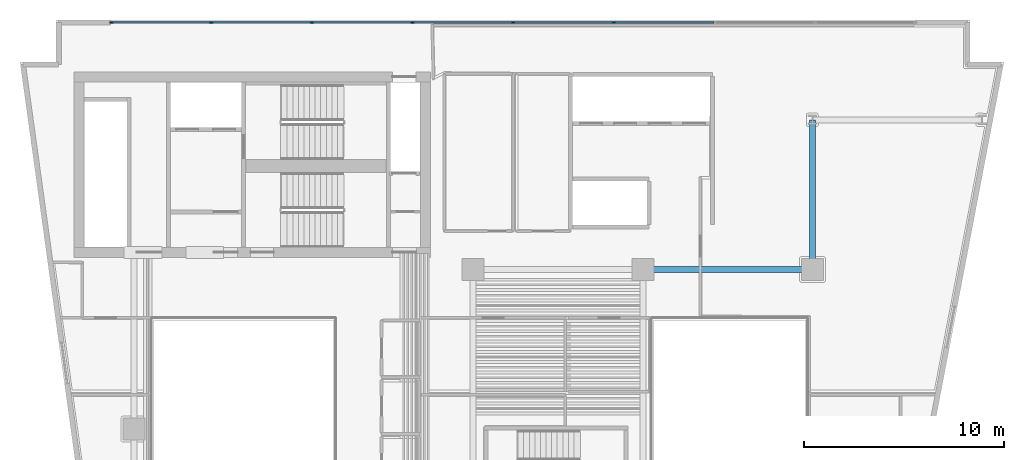
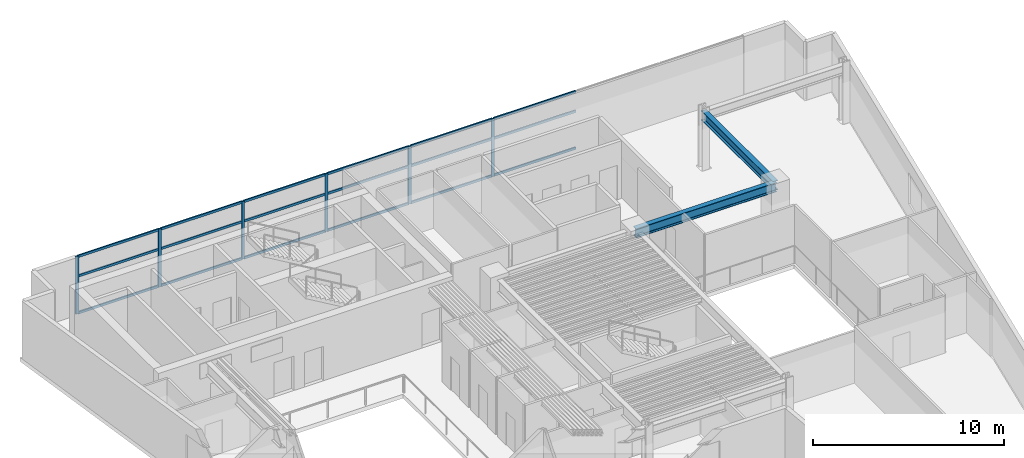
# One storey, part 3 of 13: 24 members, 2 beams, 1 element without a shape of its own.
"""IFC4 building model written with IfcOpenShell, lengths in metres."""

from ifc_helpers import new_model, si_unit, direction, frame, origin, origin_2d, place, context, subcontext, project, spatial, rectangle, i_section, extrude, material, layer, layer_set, material_profile, profile_set, type_object, element, aggregate, save


model = new_model("IFC4")

# Units and contexts
model_context = context("Model", 3, precision=1e-05, world=origin(), true_north=direction((0.0, 1.0)))
body_context = subcontext(model_context, "Body", "Model", "MODEL_VIEW")
ifc_project = project(units=[si_unit("LENGTHUNIT", "METRE"), si_unit("AREAUNIT", "SQUARE_METRE"), si_unit("VOLUMEUNIT", "CUBIC_METRE"), si_unit("PLANEANGLEUNIT", "RADIAN"), si_unit("MASSUNIT", "GRAM", prefix="KILO")], contexts=[model_context])

# Site, building, storey
site_placement = place(None, origin())
site = spatial("IfcSite", under=ifc_project, at=site_placement, CompositionType="ELEMENT")
building_placement = place(site_placement, origin())
building = spatial("IfcBuilding", under=site, at=building_placement, Name="Caeloran Harvest Quay", CompositionType="ELEMENT")
storey_placement = place(building_placement, frame((0.0, 0.0, 162.75)))
storey = spatial("IfcBuildingStorey", under=building, at=storey_placement, Name="L38", CompositionType="ELEMENT", Elevation=162.75)

# Beams
ifc_material_1 = material(Name="Steel S355J2", Category="steel")
ifc_material_profile_1 = material_profile(ifc_material_1, i_section(OverallWidth=0.300048828125, OverallDepth=0.60009765625, WebThickness=0.015380859375, FlangeThickness=0.030029296875, FilletRadius=0.027099609375, at=origin_2d()), Name="HE 600 B")
ifc_profile_set_1 = profile_set([ifc_material_profile_1], Name="Steel S355J2")
beam_type = type_object("IfcBeamType", Name="BM-PG-3-HE_600_B", PredefinedType="BEAM", material=ifc_profile_set_1)
beam_1_placement = place(storey_placement, frame((34.0, 31.0, 3.389892578125), z_axis=(1.0, 0.0, 0.0), x_axis=(0.0, 1.0, 0.0)))
element("IfcBeam", 1, at=beam_1_placement, inside=storey, type_object=beam_type, Name="L38 Primary East-West Girder Y=31.0", PredefinedType="BEAM", context=body_context, shape_type="SweptSolid", body=[
    extrude(i_section(OverallWidth=0.300048828125, OverallDepth=0.60009765625, WebThickness=0.015380859375, FlangeThickness=0.030029296875, FilletRadius=0.027099609375, at=origin_2d()), origin(), (0.0, 0.0, 1.0), 8.5),
])
beam_2_placement = place(storey_placement, frame((42.5, 31.0, 3.389892578125), z_axis=(0.0, 1.0, 0.0), x_axis=(-1.0, 0.0, 0.0)))
element("IfcBeam", 2, at=beam_2_placement, inside=storey, type_object=beam_type, Name="L38 Primary North-South Girder X=42.5", PredefinedType="BEAM", context=body_context, shape_type="SweptSolid", body=[
    extrude(i_section(OverallWidth=0.300048828125, OverallDepth=0.60009765625, WebThickness=0.015380859375, FlangeThickness=0.030029296875, FilletRadius=0.027099609375, at=origin_2d()), origin(), (0.0, 0.0, 1.0), 7.5),
])

# Curtain wall, members
ifc_material_2 = material(Name="Aluminium 6063-T6 and Low-E Glazing", Category="aluminium")
ifc_layer = layer(ifc_material_2, 0.22998046875, Name="Aluminium 6063-T6 and Low-E Glazing")
ifc_layer_set = layer_set([ifc_layer], Name="Aluminium 6063-T6 and Low-E Glazing")
curtain_wall_type = type_object("IfcCurtainWallType", Name="CW-SYS-CW-6", PredefinedType="USERDEFINED", material=ifc_layer_set)
curtain_wall_placement = place(storey_placement, origin())
curtain_wall = element("IfcCurtainWall", 3, at=curtain_wall_placement, inside=storey, type_object=curtain_wall_type, Name="L38 Unitised Curtain Wall CW-6 Run 6", ObjectType="CURTAIN_WALL", PredefinedType="USERDEFINED")
ifc_material_3 = material(Name="Aluminium 6063-T6", Category="aluminium")
ifc_material_profile_2 = material_profile(ifc_material_3, rectangle(XDim=0.080078125, YDim=0.179931640625, at=origin_2d()), Name="CW-MULLION-180")
ifc_profile_set_2 = profile_set([ifc_material_profile_2], Name="Aluminium 6063-T6")
member_type_1 = type_object("IfcMemberType", Name="CW-MULLION-180", PredefinedType="MULLION", material=ifc_profile_set_2)
member_1_placement = place(storey_placement, frame((7.3701171875, 43.3701171875, 0.0), z_axis=(0.0, 0.0, 1.0), x_axis=(0.0, 1.0, 0.0)))
member_1 = element("IfcMember", 4, at=member_1_placement, type_object=member_type_1, Name="CW-6 mullion 1", PredefinedType="MULLION", context=body_context, shape_type="SweptSolid", body=[
    extrude(rectangle(XDim=0.080078125, YDim=0.179931640625, at=origin_2d()), origin(), (0.0, 0.0, 1.0), 3.68994140625),
])
member_2_placement = place(storey_placement, frame((12.37255859375, 43.3701171875, 0.0), z_axis=(0.0, 0.0, 1.0), x_axis=(0.0, 1.0, 0.0)))
member_2 = element("IfcMember", 5, at=member_2_placement, type_object=member_type_1, Name="CW-6 mullion 2", PredefinedType="MULLION", context=body_context, shape_type="SweptSolid", body=[
    extrude(rectangle(XDim=0.080078125, YDim=0.179931640625, at=origin_2d()), origin(), (0.0, 0.0, 1.0), 3.68994140625),
])
member_3_placement = place(storey_placement, frame((17.4150390625, 43.3701171875, 0.0), z_axis=(0.0, 0.0, 1.0), x_axis=(0.0, 1.0, 0.0)))
member_3 = element("IfcMember", 6, at=member_3_placement, type_object=member_type_1, Name="CW-6 mullion 3", PredefinedType="MULLION", context=body_context, shape_type="SweptSolid", body=[
    extrude(rectangle(XDim=0.080078125, YDim=0.179931640625, at=origin_2d()), origin(), (0.0, 0.0, 1.0), 3.68994140625),
])
member_4_placement = place(storey_placement, frame((22.45751953125, 43.3701171875, 0.0), z_axis=(0.0, 0.0, 1.0), x_axis=(0.0, 1.0, 0.0)))
member_4 = element("IfcMember", 7, at=member_4_placement, type_object=member_type_1, Name="CW-6 mullion 4", PredefinedType="MULLION", context=body_context, shape_type="SweptSolid", body=[
    extrude(rectangle(XDim=0.080078125, YDim=0.179931640625, at=origin_2d()), origin(), (0.0, 0.0, 1.0), 3.68994140625),
])
member_5_placement = place(storey_placement, frame((27.5, 43.3701171875, 0.0), z_axis=(0.0, 0.0, 1.0), x_axis=(0.0, 1.0, 0.0)))
member_5 = element("IfcMember", 8, at=member_5_placement, type_object=member_type_1, Name="CW-6 mullion 5", PredefinedType="MULLION", context=body_context, shape_type="SweptSolid", body=[
    extrude(rectangle(XDim=0.080078125, YDim=0.179931640625, at=origin_2d()), origin(), (0.0, 0.0, 1.0), 3.68994140625),
])
member_6_placement = place(storey_placement, frame((32.54248046875, 43.3701171875, 0.0), z_axis=(0.0, 0.0, 1.0), x_axis=(0.0, 1.0, 0.0)))
member_6 = element("IfcMember", 9, at=member_6_placement, type_object=member_type_1, Name="CW-6 mullion 6", PredefinedType="MULLION", context=body_context, shape_type="SweptSolid", body=[
    extrude(rectangle(XDim=0.080078125, YDim=0.179931640625, at=origin_2d()), origin(), (0.0, 0.0, 1.0), 3.68994140625),
])
ifc_material_profile_3 = material_profile(ifc_material_3, rectangle(XDim=0.080078125, YDim=0.14990234375, at=origin_2d()), Name="CW-TRANSOM-150")
ifc_profile_set_3 = profile_set([ifc_material_profile_3], Name="Aluminium 6063-T6")
member_type_2 = type_object("IfcMemberType", Name="CW-TRANSOM-150", PredefinedType="USERDEFINED", material=ifc_profile_set_3)
member_7_placement = place(storey_placement, frame((7.409912109375, 43.3701171875, 0.0400390625), z_axis=(1.0, 0.0, 0.0), x_axis=(0.0, 1.0, 0.0)))
member_7 = element("IfcMember", 10, at=member_7_placement, type_object=member_type_2, Name="CW-6 transom 1.1", ObjectType="TRANSOM", PredefinedType="USERDEFINED", context=body_context, shape_type="SweptSolid", body=[
    extrude(rectangle(XDim=0.080078125, YDim=0.14990234375, at=origin_2d()), origin(), (0.0, 0.0, 1.0), 4.922607421875),
])
member_8_placement = place(storey_placement, frame((7.409912109375, 43.3701171875, 2.39990234375), z_axis=(1.0, 0.0, 0.0), x_axis=(0.0, 1.0, 0.0)))
member_8 = element("IfcMember", 11, at=member_8_placement, type_object=member_type_2, Name="CW-6 transom 1.2", ObjectType="TRANSOM", PredefinedType="USERDEFINED", context=body_context, shape_type="SweptSolid", body=[
    extrude(rectangle(XDim=0.080078125, YDim=0.14990234375, at=origin_2d()), origin(), (0.0, 0.0, 1.0), 4.922607421875),
])
member_9_placement = place(storey_placement, frame((7.409912109375, 43.3701171875, 3.64990234375), z_axis=(1.0, 0.0, 0.0), x_axis=(0.0, 1.0, 0.0)))
member_9 = element("IfcMember", 12, at=member_9_placement, type_object=member_type_2, Name="CW-6 transom 1.3", ObjectType="TRANSOM", PredefinedType="USERDEFINED", context=body_context, shape_type="SweptSolid", body=[
    extrude(rectangle(XDim=0.080078125, YDim=0.14990234375, at=origin_2d()), origin(), (0.0, 0.0, 1.0), 4.922607421875),
])
member_10_placement = place(storey_placement, frame((12.41259765625, 43.3701171875, 0.0400390625), z_axis=(1.0, 0.0, 0.0), x_axis=(0.0, 1.0, 0.0)))
member_10 = element("IfcMember", 13, at=member_10_placement, type_object=member_type_2, Name="CW-6 transom 2.1", ObjectType="TRANSOM", PredefinedType="USERDEFINED", context=body_context, shape_type="SweptSolid", body=[
    extrude(rectangle(XDim=0.080078125, YDim=0.14990234375, at=origin_2d()), origin(), (0.0, 0.0, 1.0), 4.96240234375),
])
member_11_placement = place(storey_placement, frame((12.41259765625, 43.3701171875, 2.39990234375), z_axis=(1.0, 0.0, 0.0), x_axis=(0.0, 1.0, 0.0)))
member_11 = element("IfcMember", 14, at=member_11_placement, type_object=member_type_2, Name="CW-6 transom 2.2", ObjectType="TRANSOM", PredefinedType="USERDEFINED", context=body_context, shape_type="SweptSolid", body=[
    extrude(rectangle(XDim=0.080078125, YDim=0.14990234375, at=origin_2d()), origin(), (0.0, 0.0, 1.0), 4.96240234375),
])
member_12_placement = place(storey_placement, frame((12.41259765625, 43.3701171875, 3.64990234375), z_axis=(1.0, 0.0, 0.0), x_axis=(0.0, 1.0, 0.0)))
member_12 = element("IfcMember", 15, at=member_12_placement, type_object=member_type_2, Name="CW-6 transom 2.3", ObjectType="TRANSOM", PredefinedType="USERDEFINED", context=body_context, shape_type="SweptSolid", body=[
    extrude(rectangle(XDim=0.080078125, YDim=0.14990234375, at=origin_2d()), origin(), (0.0, 0.0, 1.0), 4.96240234375),
])
member_13_placement = place(storey_placement, frame((17.455078125, 43.3701171875, 0.0400390625), z_axis=(1.0, 0.0, 0.0), x_axis=(0.0, 1.0, 0.0)))
member_13 = element("IfcMember", 16, at=member_13_placement, type_object=member_type_2, Name="CW-6 transom 3.1", ObjectType="TRANSOM", PredefinedType="USERDEFINED", context=body_context, shape_type="SweptSolid", body=[
    extrude(rectangle(XDim=0.080078125, YDim=0.14990234375, at=origin_2d()), origin(), (0.0, 0.0, 1.0), 4.96240234375),
])
member_14_placement = place(storey_placement, frame((17.455078125, 43.3701171875, 2.39990234375), z_axis=(1.0, 0.0, 0.0), x_axis=(0.0, 1.0, 0.0)))
member_14 = element("IfcMember", 17, at=member_14_placement, type_object=member_type_2, Name="CW-6 transom 3.2", ObjectType="TRANSOM", PredefinedType="USERDEFINED", context=body_context, shape_type="SweptSolid", body=[
    extrude(rectangle(XDim=0.080078125, YDim=0.14990234375, at=origin_2d()), origin(), (0.0, 0.0, 1.0), 4.96240234375),
])
member_15_placement = place(storey_placement, frame((17.455078125, 43.3701171875, 3.64990234375), z_axis=(1.0, 0.0, 0.0), x_axis=(0.0, 1.0, 0.0)))
member_15 = element("IfcMember", 18, at=member_15_placement, type_object=member_type_2, Name="CW-6 transom 3.3", ObjectType="TRANSOM", PredefinedType="USERDEFINED", context=body_context, shape_type="SweptSolid", body=[
    extrude(rectangle(XDim=0.080078125, YDim=0.14990234375, at=origin_2d()), origin(), (0.0, 0.0, 1.0), 4.96240234375),
])
member_16_placement = place(storey_placement, frame((22.49755859375, 43.3701171875, 0.0400390625), z_axis=(1.0, 0.0, 0.0), x_axis=(0.0, 1.0, 0.0)))
member_16 = element("IfcMember", 19, at=member_16_placement, type_object=member_type_2, Name="CW-6 transom 4.1", ObjectType="TRANSOM", PredefinedType="USERDEFINED", context=body_context, shape_type="SweptSolid", body=[
    extrude(rectangle(XDim=0.080078125, YDim=0.14990234375, at=origin_2d()), origin(), (0.0, 0.0, 1.0), 4.96240234375),
])
member_17_placement = place(storey_placement, frame((22.49755859375, 43.3701171875, 2.39990234375), z_axis=(1.0, 0.0, 0.0), x_axis=(0.0, 1.0, 0.0)))
member_17 = element("IfcMember", 20, at=member_17_placement, type_object=member_type_2, Name="CW-6 transom 4.2", ObjectType="TRANSOM", PredefinedType="USERDEFINED", context=body_context, shape_type="SweptSolid", body=[
    extrude(rectangle(XDim=0.080078125, YDim=0.14990234375, at=origin_2d()), origin(), (0.0, 0.0, 1.0), 4.96240234375),
])
member_18_placement = place(storey_placement, frame((22.49755859375, 43.3701171875, 3.64990234375), z_axis=(1.0, 0.0, 0.0), x_axis=(0.0, 1.0, 0.0)))
member_18 = element("IfcMember", 21, at=member_18_placement, type_object=member_type_2, Name="CW-6 transom 4.3", ObjectType="TRANSOM", PredefinedType="USERDEFINED", context=body_context, shape_type="SweptSolid", body=[
    extrude(rectangle(XDim=0.080078125, YDim=0.14990234375, at=origin_2d()), origin(), (0.0, 0.0, 1.0), 4.96240234375),
])
member_19_placement = place(storey_placement, frame((27.5400390625, 43.3701171875, 0.0400390625), z_axis=(1.0, 0.0, 0.0), x_axis=(0.0, 1.0, 0.0)))
member_19 = element("IfcMember", 22, at=member_19_placement, type_object=member_type_2, Name="CW-6 transom 5.1", ObjectType="TRANSOM", PredefinedType="USERDEFINED", context=body_context, shape_type="SweptSolid", body=[
    extrude(rectangle(XDim=0.080078125, YDim=0.14990234375, at=origin_2d()), origin(), (0.0, 0.0, 1.0), 4.96240234375),
])
member_20_placement = place(storey_placement, frame((27.5400390625, 43.3701171875, 2.39990234375), z_axis=(1.0, 0.0, 0.0), x_axis=(0.0, 1.0, 0.0)))
member_20 = element("IfcMember", 23, at=member_20_placement, type_object=member_type_2, Name="CW-6 transom 5.2", ObjectType="TRANSOM", PredefinedType="USERDEFINED", context=body_context, shape_type="SweptSolid", body=[
    extrude(rectangle(XDim=0.080078125, YDim=0.14990234375, at=origin_2d()), origin(), (0.0, 0.0, 1.0), 4.96240234375),
])
member_21_placement = place(storey_placement, frame((27.5400390625, 43.3701171875, 3.64990234375), z_axis=(1.0, 0.0, 0.0), x_axis=(0.0, 1.0, 0.0)))
member_21 = element("IfcMember", 24, at=member_21_placement, type_object=member_type_2, Name="CW-6 transom 5.3", ObjectType="TRANSOM", PredefinedType="USERDEFINED", context=body_context, shape_type="SweptSolid", body=[
    extrude(rectangle(XDim=0.080078125, YDim=0.14990234375, at=origin_2d()), origin(), (0.0, 0.0, 1.0), 4.96240234375),
])
member_22_placement = place(storey_placement, frame((32.58251953125, 43.3701171875, 0.0400390625), z_axis=(1.0, 0.0, 0.0), x_axis=(0.0, 1.0, 0.0)))
member_22 = element("IfcMember", 25, at=member_22_placement, type_object=member_type_2, Name="CW-6 transom 6.1", ObjectType="TRANSOM", PredefinedType="USERDEFINED", context=body_context, shape_type="SweptSolid", body=[
    extrude(rectangle(XDim=0.080078125, YDim=0.14990234375, at=origin_2d()), origin(), (0.0, 0.0, 1.0), 4.96240234375),
])
member_23_placement = place(storey_placement, frame((32.58251953125, 43.3701171875, 2.39990234375), z_axis=(1.0, 0.0, 0.0), x_axis=(0.0, 1.0, 0.0)))
member_23 = element("IfcMember", 26, at=member_23_placement, type_object=member_type_2, Name="CW-6 transom 6.2", ObjectType="TRANSOM", PredefinedType="USERDEFINED", context=body_context, shape_type="SweptSolid", body=[
    extrude(rectangle(XDim=0.080078125, YDim=0.14990234375, at=origin_2d()), origin(), (0.0, 0.0, 1.0), 4.96240234375),
])
member_24_placement = place(storey_placement, frame((32.58251953125, 43.3701171875, 3.64990234375), z_axis=(1.0, 0.0, 0.0), x_axis=(0.0, 1.0, 0.0)))
member_24 = element("IfcMember", 27, at=member_24_placement, type_object=member_type_2, Name="CW-6 transom 6.3", ObjectType="TRANSOM", PredefinedType="USERDEFINED", context=body_context, shape_type="SweptSolid", body=[
    extrude(rectangle(XDim=0.080078125, YDim=0.14990234375, at=origin_2d()), origin(), (0.0, 0.0, 1.0), 4.96240234375),
])
aggregate(curtain_wall, [member_1, member_2, member_3, member_4, member_5, member_6, member_7, member_8, member_9, member_10, member_11, member_12, member_13, member_14, member_15, member_16, member_17, member_18, member_19, member_20, member_21, member_22, member_23, member_24])

save(model, "model.ifc")
